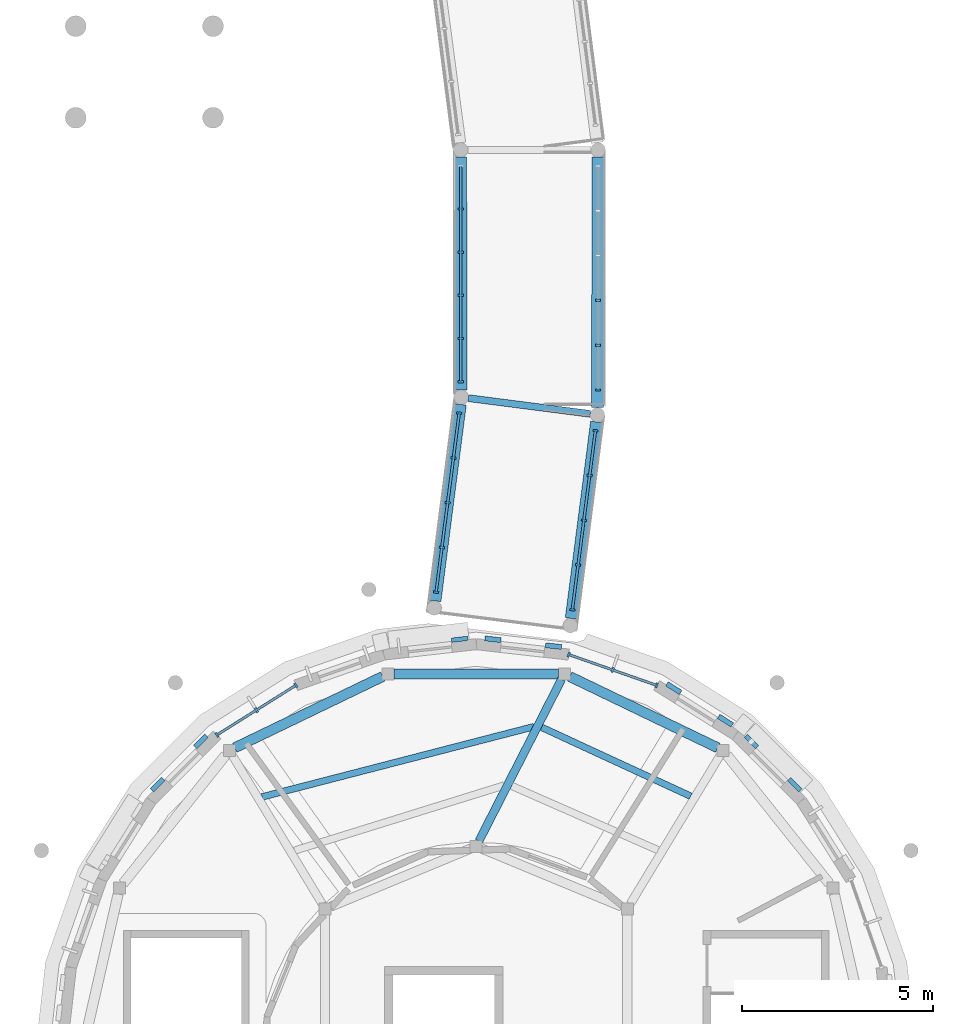
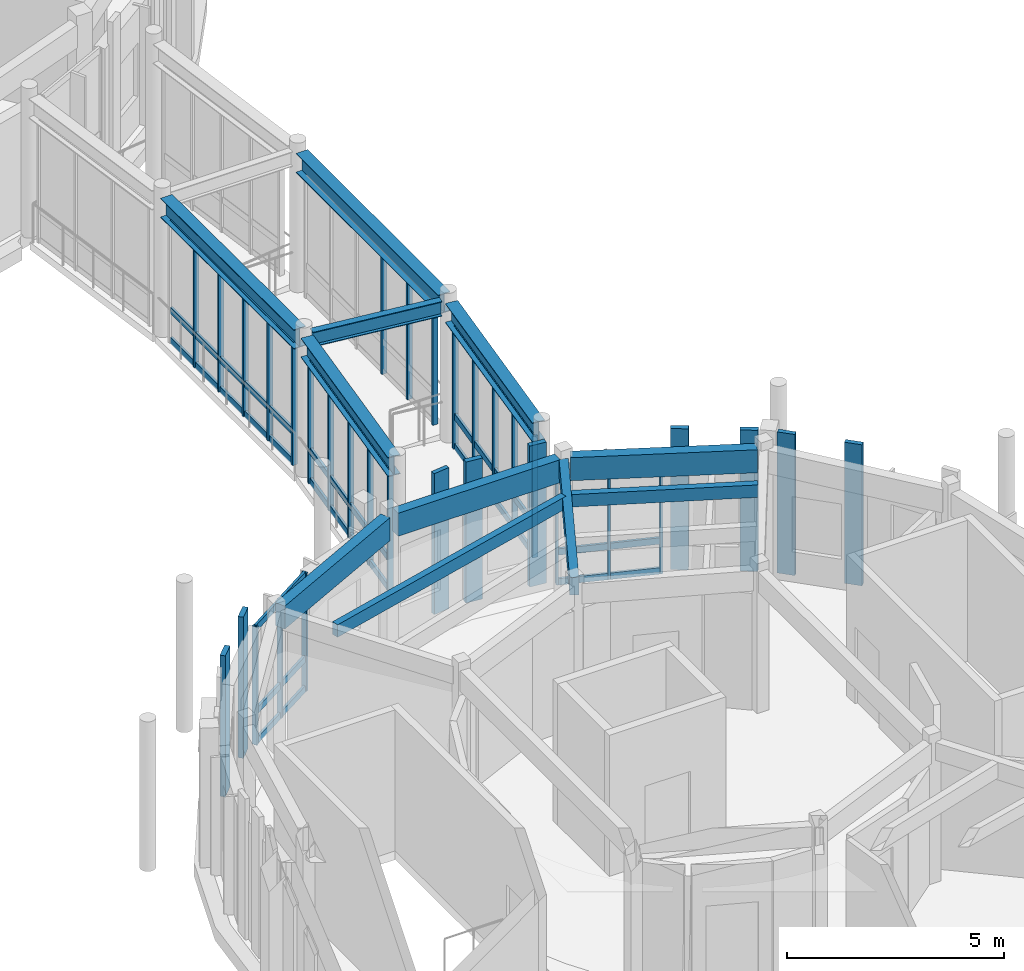
# One storey, part 17 of 80: 48 members, 11 beams, 6 elements without a shape of their own.
"""IFC4 building model written with IfcOpenShell, lengths in metres."""

from ifc_helpers import new_model, si_unit, direction, frame, origin, origin_2d, place, context, subcontext, project, spatial, rectangle, i_section, extrude, material, layer, layer_set, material_profile, profile_set, type_object, element, aggregate, save


model = new_model("IFC4")

# Units and contexts
model_context = context("Model", 3, precision=1e-05, world=origin(), true_north=direction((0.0, 1.0)))
body_context = subcontext(model_context, "Body", "Model", "MODEL_VIEW")
ifc_project = project(units=[si_unit("LENGTHUNIT", "METRE"), si_unit("AREAUNIT", "SQUARE_METRE"), si_unit("VOLUMEUNIT", "CUBIC_METRE"), si_unit("PLANEANGLEUNIT", "RADIAN"), si_unit("MASSUNIT", "GRAM", prefix="KILO")], contexts=[model_context])

# Site, building, storey
site_placement = place(None, origin())
site = spatial("IfcSite", under=ifc_project, at=site_placement, CompositionType="ELEMENT")
building_placement = place(site_placement, origin())
building = spatial("IfcBuilding", under=site, at=building_placement, Name="Aldenvaro Health Centre", CompositionType="ELEMENT")
storey_placement = place(building_placement, frame((0.0, 0.0, 4.550048828125)))
storey = spatial("IfcBuildingStorey", under=building, at=storey_placement, Name="L01", CompositionType="ELEMENT", Elevation=4.550048828125)

# Beams
ifc_material_1 = material(Name="Glulam GL28h", Category="wood")
ifc_material_profile_1 = material_profile(ifc_material_1, rectangle(XDim=0.175048828125, YDim=0.35009765625, at=origin_2d()), Name="GL 175x350", Category="wood")
ifc_profile_set_1 = profile_set([ifc_material_profile_1], Name="Glulam GL28h")
beam_type_1 = type_object("IfcBeamType", Name="BM-GL-350", PredefinedType="JOIST", material=ifc_profile_set_1)
beam_1_placement = place(storey_placement, frame((29.12109375, 64.4140625, 3.784912109375), z_axis=(-0.907768314823, 0.419471913963, 0.0), x_axis=(-0.419471913963, -0.907768314823, 0.0)))
element("IfcBeam", 1, at=beam_1_placement, inside=storey, type_object=beam_type_1, Name="D3 L01 secondary joist 01.2", PredefinedType="JOIST", context=body_context, shape_type="SweptSolid", body=[
    extrude(rectangle(XDim=0.175048828125, YDim=0.35009765625, at=origin_2d()), origin(), (0.0, 0.0, 1.0), 4.302978515625),
])
beam_2_placement = place(storey_placement, frame((25.012939453125, 66.237060546875, 3.784912109375), z_axis=(-0.968184326998, -0.250238104522, 0.0), x_axis=(0.250238104522, -0.968184326998, 0.0)))
element("IfcBeam", 2, at=beam_2_placement, inside=storey, type_object=beam_type_1, Name="D3 L01 secondary joist 02.2", PredefinedType="JOIST", context=body_context, shape_type="SweptSolid", body=[
    extrude(rectangle(XDim=0.175048828125, YDim=0.35009765625, at=origin_2d()), origin(), (0.0, 0.0, 1.0), 7.361083984375),
])
ifc_material_profile_2 = material_profile(ifc_material_1, rectangle(XDim=0.215087890625, YDim=0.493896484375, at=origin_2d()), Name="GL 215x494", Category="wood")
ifc_profile_set_2 = profile_set([ifc_material_profile_2], Name="Glulam GL28h")
beam_type_2 = type_object("IfcBeamType", Name="BM-GL-494", PredefinedType="BEAM", material=ifc_profile_set_2)
beam_3_placement = place(storey_placement, frame((23.572021484375, 63.239990234375, 3.712890625), z_axis=(0.454929452685, 0.89052748025, 0.0), x_axis=(-0.89052748025, 0.454929452685, 0.0)))
element("IfcBeam", 3, at=beam_3_placement, inside=storey, type_object=beam_type_2, Name="D3 L01 radial beam 02", PredefinedType="BEAM", context=body_context, shape_type="SweptSolid", body=[
    extrude(rectangle(XDim=0.215087890625, YDim=0.493896484375, at=origin_2d()), origin(), (0.0, 0.0, 1.0), 4.76123046875),
])
ifc_material_profile_3 = material_profile(ifc_material_1, rectangle(XDim=0.264892578125, YDim=0.64599609375, at=origin_2d()), Name="GL 265x646", Category="wood")
ifc_profile_set_3 = profile_set([ifc_material_profile_3], Name="Glulam GL28h")
beam_type_3 = type_object("IfcBeamType", Name="BM-GL-646", PredefinedType="SPANDREL", material=ifc_profile_set_3)
beam_4_placement = place(storey_placement, frame((29.830078125, 65.68310546875, 3.636962890625), z_axis=(-0.900853840555, 0.434122514916, 0.0), x_axis=(-0.434122514916, -0.900853840555, 0.0)))
element("IfcBeam", 4, at=beam_4_placement, inside=storey, type_object=beam_type_3, Name="D3 L01 perimeter spandrel 03", PredefinedType="SPANDREL", context=body_context, shape_type="SweptSolid", body=[
    extrude(rectangle(XDim=0.264892578125, YDim=0.64599609375, at=origin_2d()), origin(), (0.0, 0.0, 1.0), 4.304931640625),
])
beam_5_placement = place(storey_placement, frame((25.652099609375, 67.6201171875, 3.636962890625), z_axis=(-1.0, 0.0, 0.0), x_axis=(0.0, -1.0, 0.0)))
element("IfcBeam", 5, at=beam_5_placement, inside=storey, type_object=beam_type_3, Name="D3 L01 perimeter spandrel 04", PredefinedType="SPANDREL", context=body_context, shape_type="SweptSolid", body=[
    extrude(rectangle(XDim=0.264892578125, YDim=0.64599609375, at=origin_2d()), origin(), (0.0, 0.0, 1.0), 4.30419921875),
])
beam_6_placement = place(storey_placement, frame((21.048095703125, 67.552001953125, 3.636962890625), z_axis=(-0.900853840555, -0.434122514916, 0.0), x_axis=(0.434122514916, -0.900853840555, 0.0)))
element("IfcBeam", 6, at=beam_6_placement, inside=storey, type_object=beam_type_3, Name="D3 L01 perimeter spandrel 05", PredefinedType="SPANDREL", context=body_context, shape_type="SweptSolid", body=[
    extrude(rectangle(XDim=0.264892578125, YDim=0.64599609375, at=origin_2d()), origin(), (0.0, 0.0, 1.0), 4.304931640625),
])
ifc_material_2 = material(Name="Steel ASTM A992 Grade 50", Category="steel")
ifc_material_profile_4 = material_profile(ifc_material_2, i_section(OverallWidth=0.180908203125, OverallDepth=0.4169921875, WebThickness=0.010986328125, FlangeThickness=0.018310546875, at=origin_2d()), Name="W16X57", Category="steel")
ifc_profile_set_4 = profile_set([ifc_material_profile_4], Name="Steel ASTM A992 Grade 50")
beam_type_4 = type_object("IfcBeamType", Name="BM-ST-W16E", PredefinedType="JOIST", material=ifc_profile_set_4)
beam_7_placement = place(storey_placement, frame((23.2958984375, 74.84912109375, 3.740966796875), z_axis=(0.991779108048, -0.127961716302, 0.0), x_axis=(0.127961716302, 0.991779108048, 0.0)))
element("IfcBeam", 7, at=beam_7_placement, inside=storey, type_object=beam_type_4, Name="West North Curved Garden Walkway Arc 1 L01 cross beam 2", PredefinedType="JOIST", context=body_context, shape_type="SweptSolid", body=[
    extrude(i_section(OverallWidth=0.180908203125, OverallDepth=0.4169921875, WebThickness=0.010986328125, FlangeThickness=0.018310546875, at=origin_2d()), origin(), (0.0, 0.0, 1.0), 3.220458984375),
])
ifc_material_profile_5 = material_profile(ifc_material_2, i_section(OverallWidth=0.31201171875, OverallDepth=0.54296875, WebThickness=0.0126953125, FlangeThickness=0.020263671875, at=origin_2d()), Name="W21X101", Category="steel")
ifc_profile_set_5 = profile_set([ifc_material_profile_5], Name="Steel ASTM A992 Grade 50")
beam_type_5 = type_object("IfcBeamType", Name="BM-ST-W21E", PredefinedType="BEAM", material=ifc_profile_set_5)
for number, where, z_axis, x_axis, name in (
    (8, (22.419921875, 69.534912109375, 3.678955078125), (0.127881829838, 0.99178941192, 0.0), (-0.99178941192, 0.127881829838, 0.0), "West North Curved Garden Walkway Arc 1 L01 girder L-1"),
    (9, (25.989990234375, 69.074951171875, 3.678955078125), (0.127881829838, 0.99178941192, 0.0), (-0.99178941192, 0.127881829838, 0.0), "West North Curved Garden Walkway Arc 1 L01 girder R-1"),
):
    element("IfcBeam", number, at=place(storey_placement, frame(where, z_axis=z_axis, x_axis=x_axis)), inside=storey, type_object=beam_type_5, Name=name, PredefinedType="BEAM", context=body_context, shape_type="SweptSolid", body=[
        extrude(i_section(OverallWidth=0.31201171875, OverallDepth=0.54296875, WebThickness=0.0126953125, FlangeThickness=0.020263671875, at=origin_2d()), origin(), (0.0, 0.0, 1.0), 5.19287109375),
    ])
beam_8_placement = place(storey_placement, frame((23.10791015625, 75.06298828125, 3.678955078125), z_axis=(-0.002439797554, 0.99999702369, 0.0), x_axis=(-0.99999702369, -0.002439797554, 0.0)))
element("IfcBeam", 10, at=beam_8_placement, inside=storey, type_object=beam_type_5, Name="West North Curved Garden Walkway Arc 2 L01 girder L-1", PredefinedType="BEAM", context=body_context, shape_type="SweptSolid", body=[
    extrude(i_section(OverallWidth=0.31201171875, OverallDepth=0.54296875, WebThickness=0.0126953125, FlangeThickness=0.020263671875, at=origin_2d()), origin(), (0.0, 0.0, 1.0), 6.10400390625),
])
beam_9_placement = place(storey_placement, frame((26.677978515625, 74.60302734375, 3.678955078125), z_axis=(0.002306026748, 0.999997341117, 0.0), x_axis=(-0.999997341117, 0.002306026748, 0.0)))
element("IfcBeam", 11, at=beam_9_placement, inside=storey, type_object=beam_type_5, Name="West North Curved Garden Walkway Arc 2 L01 girder R-1", PredefinedType="BEAM", context=body_context, shape_type="SweptSolid", body=[
    extrude(i_section(OverallWidth=0.31201171875, OverallDepth=0.54296875, WebThickness=0.0126953125, FlangeThickness=0.020263671875, at=origin_2d()), origin(), (0.0, 0.0, 1.0), 6.56396484375),
])

# Curtain wall, members
ifc_material_3 = material(Name="Anodised Aluminium 6063-T6", Category="aluminium")
ifc_layer_1 = layer(ifc_material_3, 0.195068359375, Name="Anodised Aluminium 6063-T6", Category="aluminium")
ifc_layer_set_1 = layer_set([ifc_layer_1], Name="Anodised Aluminium 6063-T6")
curtain_wall_type_1 = type_object("IfcCurtainWallType", Name="CW-CLN-02", PredefinedType="NOTDEFINED", material=ifc_layer_set_1)
curtain_wall_1_placement = place(storey_placement, origin())
curtain_wall_1 = element("IfcCurtainWall", 12, at=curtain_wall_1_placement, inside=storey, type_object=curtain_wall_type_1, Name="D3 L01 curtain wall bay 19", PredefinedType="NOTDEFINED")
ifc_material_profile_6 = material_profile(ifc_material_3, rectangle(XDim=0.06005859375, YDim=0.135009765625, at=origin_2d()), Name="ALU 60x135", Category="aluminium")
ifc_profile_set_6 = profile_set([ifc_material_profile_6], Name="Anodised Aluminium 6063-T6")
member_type_1 = type_object("IfcMemberType", Name="CWM-150", PredefinedType="MULLION", material=ifc_profile_set_6)
member_1_placement = place(storey_placement, frame((16.7041015625, 66.02197265625, 0.0), z_axis=(0.0, 0.0, 1.0), x_axis=(0.846684003256, 0.532096042675, 0.0)))
member_1 = element("IfcMember", 13, at=member_1_placement, type_object=member_type_1, Name="D3 L01 curtain wall bay 19 mullion 1", PredefinedType="MULLION", context=body_context, shape_type="SweptSolid", body=[
    extrude(rectangle(XDim=0.06005859375, YDim=0.135009765625, at=origin_2d()), origin(), (0.0, 0.0, 1.0), 3.31396484375),
])
member_2_placement = place(storey_placement, frame((17.738037109375, 66.6708984375, 0.0), z_axis=(0.0, 0.0, 1.0), x_axis=(0.846684003256, 0.532096042675, 0.0)))
member_2 = element("IfcMember", 14, at=member_2_placement, type_object=member_type_1, Name="D3 L01 curtain wall bay 19 mullion 2", PredefinedType="MULLION", context=body_context, shape_type="SweptSolid", body=[
    extrude(rectangle(XDim=0.06005859375, YDim=0.135009765625, at=origin_2d()), origin(), (0.0, 0.0, 1.0), 3.31396484375),
])
member_3_placement = place(storey_placement, frame((18.77099609375, 67.321044921875, 0.0), z_axis=(0.0, 0.0, 1.0), x_axis=(0.846684003256, 0.532096042675, 0.0)))
member_3 = element("IfcMember", 15, at=member_3_placement, type_object=member_type_1, Name="D3 L01 curtain wall bay 19 mullion 3", PredefinedType="MULLION", context=body_context, shape_type="SweptSolid", body=[
    extrude(rectangle(XDim=0.06005859375, YDim=0.135009765625, at=origin_2d()), origin(), (0.0, 0.0, 1.0), 3.31396484375),
])

curtain_wall_2_placement = place(storey_placement, origin())
curtain_wall_2 = element("IfcCurtainWall", 16, at=curtain_wall_2_placement, inside=storey, type_object=curtain_wall_type_1, Name="D3 L01 curtain wall bay 23", PredefinedType="NOTDEFINED")
member_4_placement = place(storey_placement, frame((25.925048828125, 68.126953125, 0.0), z_axis=(0.0, 0.0, 1.0), x_axis=(0.943909441385, -0.330204431323, 0.0)))
member_4 = element("IfcMember", 17, at=member_4_placement, type_object=member_type_1, Name="D3 L01 curtain wall bay 23 mullion 1", PredefinedType="MULLION", context=body_context, shape_type="SweptSolid", body=[
    extrude(rectangle(XDim=0.06005859375, YDim=0.135009765625, at=origin_2d()), origin(), (0.0, 0.0, 1.0), 3.31396484375),
])
member_5_placement = place(storey_placement, frame((27.076904296875, 67.72412109375, 0.0), z_axis=(0.0, 0.0, 1.0), x_axis=(0.943909441385, -0.330204431323, 0.0)))
member_5 = element("IfcMember", 18, at=member_5_placement, type_object=member_type_1, Name="D3 L01 curtain wall bay 23 mullion 2", PredefinedType="MULLION", context=body_context, shape_type="SweptSolid", body=[
    extrude(rectangle(XDim=0.06005859375, YDim=0.135009765625, at=origin_2d()), origin(), (0.0, 0.0, 1.0), 3.31396484375),
])
member_6_placement = place(storey_placement, frame((28.22900390625, 67.321044921875, 0.0), z_axis=(0.0, 0.0, 1.0), x_axis=(0.943909441385, -0.330204431323, 0.0)))
member_6 = element("IfcMember", 19, at=member_6_placement, type_object=member_type_1, Name="D3 L01 curtain wall bay 23 mullion 3", PredefinedType="MULLION", context=body_context, shape_type="SweptSolid", body=[
    extrude(rectangle(XDim=0.06005859375, YDim=0.135009765625, at=origin_2d()), origin(), (0.0, 0.0, 1.0), 3.31396484375),
])

ifc_layer_2 = layer(ifc_material_3, 0.2099609375, Name="Anodised Aluminium 6063-T6", Category="aluminium")
ifc_layer_set_2 = layer_set([ifc_layer_2], Name="Anodised Aluminium 6063-T6")
curtain_wall_type_2 = type_object("IfcCurtainWallType", Name="CW-BRG-03", PredefinedType="NOTDEFINED", material=ifc_layer_set_2)
curtain_wall_3_placement = place(storey_placement, origin())
curtain_wall_3 = element("IfcCurtainWall", 20, at=curtain_wall_3_placement, inside=storey, type_object=curtain_wall_type_2, Name="West North Curved Garden Walkway Arc 1 L01 glazed link wall L-1.1", PredefinedType="NOTDEFINED")
member_7_placement = place(storey_placement, frame((22.448974609375, 69.762939453125, 0.0), z_axis=(0.0, 0.0, 1.0), x_axis=(0.127857341647, 0.991792569133, 0.0)))
member_7 = element("IfcMember", 21, at=member_7_placement, type_object=member_type_1, Name="West North Curved Garden Walkway Arc 1 L01 glazed link wall L-1.1 mullion 1", PredefinedType="MULLION", context=body_context, shape_type="SweptSolid", body=[
    extrude(rectangle(XDim=0.06005859375, YDim=0.135009765625, at=origin_2d()), origin(), (0.0, 0.0, 1.0), 3.409912109375),
])
member_8_placement = place(storey_placement, frame((22.60009765625, 70.93603515625, 0.0), z_axis=(0.0, 0.0, 1.0), x_axis=(0.127857341647, 0.991792569133, 0.0)))
member_8 = element("IfcMember", 22, at=member_8_placement, type_object=member_type_1, Name="West North Curved Garden Walkway Arc 1 L01 glazed link wall L-1.1 mullion 2", PredefinedType="MULLION", context=body_context, shape_type="SweptSolid", body=[
    extrude(rectangle(XDim=0.06005859375, YDim=0.135009765625, at=origin_2d()), origin(), (0.0, 0.0, 1.0), 3.409912109375),
])
member_9_placement = place(storey_placement, frame((22.751953125, 72.10888671875, 0.0), z_axis=(0.0, 0.0, 1.0), x_axis=(0.127857341647, 0.991792569133, 0.0)))
member_9 = element("IfcMember", 23, at=member_9_placement, type_object=member_type_1, Name="West North Curved Garden Walkway Arc 1 L01 glazed link wall L-1.1 mullion 3", PredefinedType="MULLION", context=body_context, shape_type="SweptSolid", body=[
    extrude(rectangle(XDim=0.06005859375, YDim=0.135009765625, at=origin_2d()), origin(), (0.0, 0.0, 1.0), 3.409912109375),
])
member_10_placement = place(storey_placement, frame((22.903076171875, 73.282958984375, 0.0), z_axis=(0.0, 0.0, 1.0), x_axis=(0.127857341647, 0.991792569133, 0.0)))
member_10 = element("IfcMember", 24, at=member_10_placement, type_object=member_type_1, Name="West North Curved Garden Walkway Arc 1 L01 glazed link wall L-1.1 mullion 4", PredefinedType="MULLION", context=body_context, shape_type="SweptSolid", body=[
    extrude(rectangle(XDim=0.06005859375, YDim=0.135009765625, at=origin_2d()), origin(), (0.0, 0.0, 1.0), 3.409912109375),
])
member_11_placement = place(storey_placement, frame((23.053955078125, 74.4560546875, 0.0), z_axis=(0.0, 0.0, 1.0), x_axis=(0.127857341647, 0.991792569133, 0.0)))
member_11 = element("IfcMember", 25, at=member_11_placement, type_object=member_type_1, Name="West North Curved Garden Walkway Arc 1 L01 glazed link wall L-1.1 mullion 5", PredefinedType="MULLION", context=body_context, shape_type="SweptSolid", body=[
    extrude(rectangle(XDim=0.06005859375, YDim=0.135009765625, at=origin_2d()), origin(), (0.0, 0.0, 1.0), 3.409912109375),
])

curtain_wall_4_placement = place(storey_placement, origin())
curtain_wall_4 = element("IfcCurtainWall", 26, at=curtain_wall_4_placement, inside=storey, type_object=curtain_wall_type_2, Name="West North Curved Garden Walkway Arc 1 L01 glazed link wall R-1.1", PredefinedType="NOTDEFINED")
member_12_placement = place(storey_placement, frame((26.02001953125, 69.302978515625, 0.0), z_axis=(0.0, 0.0, 1.0), x_axis=(0.127857341647, 0.991792569133, 0.0)))
member_12 = element("IfcMember", 27, at=member_12_placement, type_object=member_type_1, Name="West North Curved Garden Walkway Arc 1 L01 glazed link wall R-1.1 mullion 1", PredefinedType="MULLION", context=body_context, shape_type="SweptSolid", body=[
    extrude(rectangle(XDim=0.06005859375, YDim=0.135009765625, at=origin_2d()), origin(), (0.0, 0.0, 1.0), 3.409912109375),
])
member_13_placement = place(storey_placement, frame((26.1708984375, 70.47607421875, 0.0), z_axis=(0.0, 0.0, 1.0), x_axis=(0.127857341647, 0.991792569133, 0.0)))
member_13 = element("IfcMember", 28, at=member_13_placement, type_object=member_type_1, Name="West North Curved Garden Walkway Arc 1 L01 glazed link wall R-1.1 mullion 2", PredefinedType="MULLION", context=body_context, shape_type="SweptSolid", body=[
    extrude(rectangle(XDim=0.06005859375, YDim=0.135009765625, at=origin_2d()), origin(), (0.0, 0.0, 1.0), 3.409912109375),
])
member_14_placement = place(storey_placement, frame((26.322021484375, 71.64892578125, 0.0), z_axis=(0.0, 0.0, 1.0), x_axis=(0.127857341647, 0.991792569133, 0.0)))
member_14 = element("IfcMember", 29, at=member_14_placement, type_object=member_type_1, Name="West North Curved Garden Walkway Arc 1 L01 glazed link wall R-1.1 mullion 3", PredefinedType="MULLION", context=body_context, shape_type="SweptSolid", body=[
    extrude(rectangle(XDim=0.06005859375, YDim=0.135009765625, at=origin_2d()), origin(), (0.0, 0.0, 1.0), 3.409912109375),
])
member_15_placement = place(storey_placement, frame((26.47412109375, 72.822998046875, 0.0), z_axis=(0.0, 0.0, 1.0), x_axis=(0.127857341647, 0.991792569133, 0.0)))
member_15 = element("IfcMember", 30, at=member_15_placement, type_object=member_type_1, Name="West North Curved Garden Walkway Arc 1 L01 glazed link wall R-1.1 mullion 4", PredefinedType="MULLION", context=body_context, shape_type="SweptSolid", body=[
    extrude(rectangle(XDim=0.06005859375, YDim=0.135009765625, at=origin_2d()), origin(), (0.0, 0.0, 1.0), 3.409912109375),
])
member_16_placement = place(storey_placement, frame((26.625, 73.99609375, 0.0), z_axis=(0.0, 0.0, 1.0), x_axis=(0.127857341647, 0.991792569133, 0.0)))
member_16 = element("IfcMember", 31, at=member_16_placement, type_object=member_type_1, Name="West North Curved Garden Walkway Arc 1 L01 glazed link wall R-1.1 mullion 5", PredefinedType="MULLION", context=body_context, shape_type="SweptSolid", body=[
    extrude(rectangle(XDim=0.06005859375, YDim=0.135009765625, at=origin_2d()), origin(), (0.0, 0.0, 1.0), 3.409912109375),
])

curtain_wall_5_placement = place(storey_placement, origin())
curtain_wall_5 = element("IfcCurtainWall", 32, at=curtain_wall_5_placement, inside=storey, type_object=curtain_wall_type_2, Name="West North Curved Garden Walkway Arc 2 L01 glazed link wall L-1.1", PredefinedType="NOTDEFINED")
member_17_placement = place(storey_placement, frame((23.093017578125, 75.281982421875, 0.0), z_axis=(0.0, 0.0, 1.0), x_axis=(0.0, 1.0, 0.0)))
member_17 = element("IfcMember", 33, at=member_17_placement, type_object=member_type_1, Name="West North Curved Garden Walkway Arc 2 L01 glazed link wall L-1.1 mullion 1", PredefinedType="MULLION", context=body_context, shape_type="SweptSolid", body=[
    extrude(rectangle(XDim=0.06005859375, YDim=0.135009765625, at=origin_2d()), origin(), (0.0, 0.0, 1.0), 3.409912109375),
])
member_18_placement = place(storey_placement, frame((23.093017578125, 76.4130859375, 0.0), z_axis=(0.0, 0.0, 1.0), x_axis=(0.0, 1.0, 0.0)))
member_18 = element("IfcMember", 34, at=member_18_placement, type_object=member_type_1, Name="West North Curved Garden Walkway Arc 2 L01 glazed link wall L-1.1 mullion 2", PredefinedType="MULLION", context=body_context, shape_type="SweptSolid", body=[
    extrude(rectangle(XDim=0.06005859375, YDim=0.135009765625, at=origin_2d()), origin(), (0.0, 0.0, 1.0), 3.409912109375),
])
member_19_placement = place(storey_placement, frame((23.093017578125, 77.5439453125, 0.0), z_axis=(0.0, 0.0, 1.0), x_axis=(0.0, 1.0, 0.0)))
member_19 = element("IfcMember", 35, at=member_19_placement, type_object=member_type_1, Name="West North Curved Garden Walkway Arc 2 L01 glazed link wall L-1.1 mullion 3", PredefinedType="MULLION", context=body_context, shape_type="SweptSolid", body=[
    extrude(rectangle(XDim=0.06005859375, YDim=0.135009765625, at=origin_2d()), origin(), (0.0, 0.0, 1.0), 3.409912109375),
])
member_20_placement = place(storey_placement, frame((23.093017578125, 78.675048828125, 0.0), z_axis=(0.0, 0.0, 1.0), x_axis=(0.0, 1.0, 0.0)))
member_20 = element("IfcMember", 36, at=member_20_placement, type_object=member_type_1, Name="West North Curved Garden Walkway Arc 2 L01 glazed link wall L-1.1 mullion 4", PredefinedType="MULLION", context=body_context, shape_type="SweptSolid", body=[
    extrude(rectangle(XDim=0.06005859375, YDim=0.135009765625, at=origin_2d()), origin(), (0.0, 0.0, 1.0), 3.409912109375),
])
member_21_placement = place(storey_placement, frame((23.093017578125, 79.805908203125, 0.0), z_axis=(0.0, 0.0, 1.0), x_axis=(0.0, 1.0, 0.0)))
member_21 = element("IfcMember", 37, at=member_21_placement, type_object=member_type_1, Name="West North Curved Garden Walkway Arc 2 L01 glazed link wall L-1.1 mullion 5", PredefinedType="MULLION", context=body_context, shape_type="SweptSolid", body=[
    extrude(rectangle(XDim=0.06005859375, YDim=0.135009765625, at=origin_2d()), origin(), (0.0, 0.0, 1.0), 3.409912109375),
])

curtain_wall_6_placement = place(storey_placement, origin())
curtain_wall_6 = element("IfcCurtainWall", 38, at=curtain_wall_6_placement, inside=storey, type_object=curtain_wall_type_2, Name="West North Curved Garden Walkway Arc 2 L01 glazed link wall R-1.1", PredefinedType="NOTDEFINED")
member_22_placement = place(storey_placement, frame((26.693115234375, 75.06298828125, 0.0), z_axis=(0.0, 0.0, 1.0), x_axis=(0.0, 1.0, 0.0)))
member_22 = element("IfcMember", 39, at=member_22_placement, type_object=member_type_1, Name="West North Curved Garden Walkway Arc 2 L01 glazed link wall R-1.1 mullion 1", PredefinedType="MULLION", context=body_context, shape_type="SweptSolid", body=[
    extrude(rectangle(XDim=0.06005859375, YDim=0.135009765625, at=origin_2d()), origin(), (0.0, 0.0, 1.0), 3.409912109375),
])
member_23_placement = place(storey_placement, frame((26.693115234375, 76.238037109375, 0.0), z_axis=(0.0, 0.0, 1.0), x_axis=(0.0, 1.0, 0.0)))
member_23 = element("IfcMember", 40, at=member_23_placement, type_object=member_type_1, Name="West North Curved Garden Walkway Arc 2 L01 glazed link wall R-1.1 mullion 2", PredefinedType="MULLION", context=body_context, shape_type="SweptSolid", body=[
    extrude(rectangle(XDim=0.06005859375, YDim=0.135009765625, at=origin_2d()), origin(), (0.0, 0.0, 1.0), 3.409912109375),
])
member_24_placement = place(storey_placement, frame((26.693115234375, 77.4130859375, 0.0), z_axis=(0.0, 0.0, 1.0), x_axis=(0.0, 1.0, 0.0)))
member_24 = element("IfcMember", 41, at=member_24_placement, type_object=member_type_1, Name="West North Curved Garden Walkway Arc 2 L01 glazed link wall R-1.1 mullion 3", PredefinedType="MULLION", context=body_context, shape_type="SweptSolid", body=[
    extrude(rectangle(XDim=0.06005859375, YDim=0.135009765625, at=origin_2d()), origin(), (0.0, 0.0, 1.0), 3.409912109375),
])
aggregate(curtain_wall_6, [member_22, member_23, member_24])

# Member
ifc_material_profile_7 = material_profile(ifc_material_3, rectangle(XDim=0.06494140625, YDim=0.179931640625, at=origin_2d()), Name="ALU 65x180", Category="aluminium")
ifc_profile_set_7 = profile_set([ifc_material_profile_7], Name="Anodised Aluminium 6063-T6")
member_type_2 = type_object("IfcMemberType", Name="CWT-150", PredefinedType="USERDEFINED", material=ifc_profile_set_7)
member_25_placement = place(storey_placement, frame((16.7041015625, 66.02197265625, 0.06005859375), z_axis=(0.846658434148, 0.532136726684, 0.0), x_axis=(-0.532136726684, 0.846658434148, 0.0)))
member_25 = element("IfcMember", 42, at=member_25_placement, type_object=member_type_2, Name="D3 L01 curtain wall bay 19 transom 1", ObjectType="TRANSOM", PredefinedType="USERDEFINED", context=body_context, shape_type="SweptSolid", body=[
    extrude(rectangle(XDim=0.06494140625, YDim=0.179931640625, at=origin_2d()), origin(), (0.0, 0.0, 1.0), 2.441162109375),
])

member_26_placement = place(storey_placement, frame((16.7041015625, 66.02197265625, 0.89990234375), z_axis=(0.846658434148, 0.532136726684, 0.0), x_axis=(-0.532136726684, 0.846658434148, 0.0)))
member_26 = element("IfcMember", 43, at=member_26_placement, type_object=member_type_2, Name="D3 L01 curtain wall bay 19 transom 2", ObjectType="TRANSOM", PredefinedType="USERDEFINED", context=body_context, shape_type="SweptSolid", body=[
    extrude(rectangle(XDim=0.06494140625, YDim=0.179931640625, at=origin_2d()), origin(), (0.0, 0.0, 1.0), 2.441162109375),
])

member_27_placement = place(storey_placement, frame((16.7041015625, 66.02197265625, 3.25390625), z_axis=(0.846658434148, 0.532136726684, 0.0), x_axis=(-0.532136726684, 0.846658434148, 0.0)))
member_27 = element("IfcMember", 44, at=member_27_placement, type_object=member_type_2, Name="D3 L01 curtain wall bay 19 transom 3", ObjectType="TRANSOM", PredefinedType="USERDEFINED", context=body_context, shape_type="SweptSolid", body=[
    extrude(rectangle(XDim=0.06494140625, YDim=0.179931640625, at=origin_2d()), origin(), (0.0, 0.0, 1.0), 2.441162109375),
])

aggregate(curtain_wall_1, [member_1, member_2, member_3, member_25, member_26, member_27])

member_28_placement = place(storey_placement, frame((25.925048828125, 68.126953125, 0.06005859375), z_axis=(0.943919156274, -0.330176659411, 0.0), x_axis=(0.330176659411, 0.943919156274, 0.0)))
member_28 = element("IfcMember", 45, at=member_28_placement, type_object=member_type_2, Name="D3 L01 curtain wall bay 23 transom 1", ObjectType="TRANSOM", PredefinedType="USERDEFINED", context=body_context, shape_type="SweptSolid", body=[
    extrude(rectangle(XDim=0.06494140625, YDim=0.179931640625, at=origin_2d()), origin(), (0.0, 0.0, 1.0), 2.44091796875),
])

member_29_placement = place(storey_placement, frame((25.925048828125, 68.126953125, 0.89990234375), z_axis=(0.943919156274, -0.330176659411, 0.0), x_axis=(0.330176659411, 0.943919156274, 0.0)))
member_29 = element("IfcMember", 46, at=member_29_placement, type_object=member_type_2, Name="D3 L01 curtain wall bay 23 transom 2", ObjectType="TRANSOM", PredefinedType="USERDEFINED", context=body_context, shape_type="SweptSolid", body=[
    extrude(rectangle(XDim=0.06494140625, YDim=0.179931640625, at=origin_2d()), origin(), (0.0, 0.0, 1.0), 2.44091796875),
])

member_30_placement = place(storey_placement, frame((25.925048828125, 68.126953125, 3.25390625), z_axis=(0.943919156274, -0.330176659411, 0.0), x_axis=(0.330176659411, 0.943919156274, 0.0)))
member_30 = element("IfcMember", 47, at=member_30_placement, type_object=member_type_2, Name="D3 L01 curtain wall bay 23 transom 3", ObjectType="TRANSOM", PredefinedType="USERDEFINED", context=body_context, shape_type="SweptSolid", body=[
    extrude(rectangle(XDim=0.06494140625, YDim=0.179931640625, at=origin_2d()), origin(), (0.0, 0.0, 1.0), 2.44091796875),
])

aggregate(curtain_wall_2, [member_4, member_5, member_6, member_28, member_29, member_30])

member_31_placement = place(storey_placement, frame((22.448974609375, 69.762939453125, 0.06005859375), z_axis=(0.127850193505, 0.991793490612, 0.0), x_axis=(-0.991793490612, 0.127850193505, 0.0)))
member_31 = element("IfcMember", 48, at=member_31_placement, type_object=member_type_2, Name="West North Curved Garden Walkway Arc 1 L01 glazed link wall L-1.1 transom 1", ObjectType="TRANSOM", PredefinedType="USERDEFINED", context=body_context, shape_type="SweptSolid", body=[
    extrude(rectangle(XDim=0.06494140625, YDim=0.179931640625, at=origin_2d()), origin(), (0.0, 0.0, 1.0), 4.73193359375),
])

member_32_placement = place(storey_placement, frame((22.448974609375, 69.762939453125, 0.89990234375), z_axis=(0.127850193505, 0.991793490612, 0.0), x_axis=(-0.991793490612, 0.127850193505, 0.0)))
member_32 = element("IfcMember", 49, at=member_32_placement, type_object=member_type_2, Name="West North Curved Garden Walkway Arc 1 L01 glazed link wall L-1.1 transom 2", ObjectType="TRANSOM", PredefinedType="USERDEFINED", context=body_context, shape_type="SweptSolid", body=[
    extrude(rectangle(XDim=0.06494140625, YDim=0.179931640625, at=origin_2d()), origin(), (0.0, 0.0, 1.0), 4.73193359375),
])

member_33_placement = place(storey_placement, frame((22.448974609375, 69.762939453125, 3.349853515625), z_axis=(0.127850193505, 0.991793490612, 0.0), x_axis=(-0.991793490612, 0.127850193505, 0.0)))
member_33 = element("IfcMember", 50, at=member_33_placement, type_object=member_type_2, Name="West North Curved Garden Walkway Arc 1 L01 glazed link wall L-1.1 transom 3", ObjectType="TRANSOM", PredefinedType="USERDEFINED", context=body_context, shape_type="SweptSolid", body=[
    extrude(rectangle(XDim=0.06494140625, YDim=0.179931640625, at=origin_2d()), origin(), (0.0, 0.0, 1.0), 4.73193359375),
])

aggregate(curtain_wall_3, [member_7, member_8, member_9, member_10, member_11, member_31, member_32, member_33])

member_34_placement = place(storey_placement, frame((26.02001953125, 69.302978515625, 0.06005859375), z_axis=(0.127850193505, 0.991793490612, 0.0), x_axis=(-0.991793490612, 0.127850193505, 0.0)))
member_34 = element("IfcMember", 51, at=member_34_placement, type_object=member_type_2, Name="West North Curved Garden Walkway Arc 1 L01 glazed link wall R-1.1 transom 1", ObjectType="TRANSOM", PredefinedType="USERDEFINED", context=body_context, shape_type="SweptSolid", body=[
    extrude(rectangle(XDim=0.06494140625, YDim=0.179931640625, at=origin_2d()), origin(), (0.0, 0.0, 1.0), 4.73193359375),
])

member_35_placement = place(storey_placement, frame((26.02001953125, 69.302978515625, 0.89990234375), z_axis=(0.127850193505, 0.991793490612, 0.0), x_axis=(-0.991793490612, 0.127850193505, 0.0)))
member_35 = element("IfcMember", 52, at=member_35_placement, type_object=member_type_2, Name="West North Curved Garden Walkway Arc 1 L01 glazed link wall R-1.1 transom 2", ObjectType="TRANSOM", PredefinedType="USERDEFINED", context=body_context, shape_type="SweptSolid", body=[
    extrude(rectangle(XDim=0.06494140625, YDim=0.179931640625, at=origin_2d()), origin(), (0.0, 0.0, 1.0), 4.73193359375),
])

member_36_placement = place(storey_placement, frame((26.02001953125, 69.302978515625, 3.349853515625), z_axis=(0.127850193505, 0.991793490612, 0.0), x_axis=(-0.991793490612, 0.127850193505, 0.0)))
member_36 = element("IfcMember", 53, at=member_36_placement, type_object=member_type_2, Name="West North Curved Garden Walkway Arc 1 L01 glazed link wall R-1.1 transom 3", ObjectType="TRANSOM", PredefinedType="USERDEFINED", context=body_context, shape_type="SweptSolid", body=[
    extrude(rectangle(XDim=0.06494140625, YDim=0.179931640625, at=origin_2d()), origin(), (0.0, 0.0, 1.0), 4.73193359375),
])

aggregate(curtain_wall_4, [member_12, member_13, member_14, member_15, member_16, member_34, member_35, member_36])

member_37_placement = place(storey_placement, frame((23.093017578125, 75.281982421875, 0.06005859375), z_axis=(0.0, 1.0, 0.0), x_axis=(-1.0, 0.0, 0.0)))
member_37 = element("IfcMember", 54, at=member_37_placement, type_object=member_type_2, Name="West North Curved Garden Walkway Arc 2 L01 glazed link wall L-1.1 transom 1", ObjectType="TRANSOM", PredefinedType="USERDEFINED", context=body_context, shape_type="SweptSolid", body=[
    extrude(rectangle(XDim=0.06494140625, YDim=0.179931640625, at=origin_2d()), origin(), (0.0, 0.0, 1.0), 5.655029296875),
])

member_38_placement = place(storey_placement, frame((23.093017578125, 75.281982421875, 0.89990234375), z_axis=(0.0, 1.0, 0.0), x_axis=(-1.0, 0.0, 0.0)))
member_38 = element("IfcMember", 55, at=member_38_placement, type_object=member_type_2, Name="West North Curved Garden Walkway Arc 2 L01 glazed link wall L-1.1 transom 2", ObjectType="TRANSOM", PredefinedType="USERDEFINED", context=body_context, shape_type="SweptSolid", body=[
    extrude(rectangle(XDim=0.06494140625, YDim=0.179931640625, at=origin_2d()), origin(), (0.0, 0.0, 1.0), 5.655029296875),
])

member_39_placement = place(storey_placement, frame((23.093017578125, 75.281982421875, 3.349853515625), z_axis=(0.0, 1.0, 0.0), x_axis=(-1.0, 0.0, 0.0)))
member_39 = element("IfcMember", 56, at=member_39_placement, type_object=member_type_2, Name="West North Curved Garden Walkway Arc 2 L01 glazed link wall L-1.1 transom 3", ObjectType="TRANSOM", PredefinedType="USERDEFINED", context=body_context, shape_type="SweptSolid", body=[
    extrude(rectangle(XDim=0.06494140625, YDim=0.179931640625, at=origin_2d()), origin(), (0.0, 0.0, 1.0), 5.655029296875),
])

aggregate(curtain_wall_5, [member_17, member_18, member_19, member_20, member_21, member_37, member_38, member_39])

# Members
ifc_material_profile_8 = material_profile(ifc_material_1, rectangle(XDim=0.114990234375, YDim=0.419921875, at=origin_2d()), Name="GL 115x420", Category="wood")
ifc_profile_set_8 = profile_set([ifc_material_profile_8], Name="Glulam GL28h")
member_type_3 = type_object("IfcMemberType", Name="MEM-SLT-420A", PredefinedType="POST", material=ifc_profile_set_8)
for number, where, z_axis, x_axis, name in (
    (57, (23.06298828125, 68.527099609375, 0.0), (0.0, 0.0, 1.0), (-0.111870646695, 0.993722777443, 0.0), "D3 L01 vertical timber slat 21.3"),
    (58, (30.717041015625, 65.84912109375, 0.0), (0.0, 0.0, 1.0), (0.707106781187, 0.707106781187, 0.0), "D3 L01 vertical timber slat 25.1"),
    (59, (31.84912109375, 64.717041015625, 0.0), (0.0, 0.0, 1.0), (0.707106781187, 0.707106781187, 0.0), "D3 L01 vertical timber slat 25.3"),
):
    element("IfcMember", number, at=place(storey_placement, frame(where, z_axis=z_axis, x_axis=x_axis)), inside=storey, type_object=member_type_3, Name=name, PredefinedType="POST", context=body_context, shape_type="SweptSolid", body=[
        extrude(rectangle(XDim=0.114990234375, YDim=0.419921875, at=origin_2d()), origin(), (0.0, 0.0, 1.0), 3.9599609375),
    ])
ifc_material_profile_9 = material_profile(ifc_material_1, rectangle(XDim=0.1298828125, YDim=0.419921875, at=origin_2d()), Name="GL 130x420", Category="wood")
ifc_profile_set_9 = profile_set([ifc_material_profile_9], Name="Glulam GL28h")
member_type_4 = type_object("IfcMemberType", Name="MEM-SLT-420B", PredefinedType="POST", material=ifc_profile_set_9)
for number, where, z_axis, x_axis, name in (
    (60, (15.15087890625, 64.717041015625, 0.0), (0.0, 0.0, 1.0), (-0.707106781187, 0.707106781187, 0.0), "D3 L01 vertical timber slat 18.1"),
    (61, (16.282958984375, 65.84912109375, 0.0), (0.0, 0.0, 1.0), (-0.707106781187, 0.707106781187, 0.0), "D3 L01 vertical timber slat 18.3"),
    (62, (23.93701171875, 68.527099609375, 0.0), (0.0, 0.0, 1.0), (0.111870646695, 0.993722777443, 0.0), "D3 L01 vertical timber slat 22.1"),
    (63, (25.527099609375, 68.347900390625, 0.0), (0.0, 0.0, 1.0), (0.111870646695, 0.993722777443, 0.0), "D3 L01 vertical timber slat 22.3"),
    (64, (28.677978515625, 67.24609375, 0.0), (0.0, 0.0, 1.0), (0.532096042675, 0.846684003256, 0.0), "D3 L01 vertical timber slat 24.1"),
    (65, (30.033935546875, 66.39404296875, 0.0), (0.0, 0.0, 1.0), (0.532096042675, 0.846684003256, 0.0), "D3 L01 vertical timber slat 24.3"),
):
    element("IfcMember", number, at=place(storey_placement, frame(where, z_axis=z_axis, x_axis=x_axis)), inside=storey, type_object=member_type_4, Name=name, PredefinedType="POST", context=body_context, shape_type="SweptSolid", body=[
        extrude(rectangle(XDim=0.1298828125, YDim=0.419921875, at=origin_2d()), origin(), (0.0, 0.0, 1.0), 3.9599609375),
    ])

save(model, "model.ifc")
